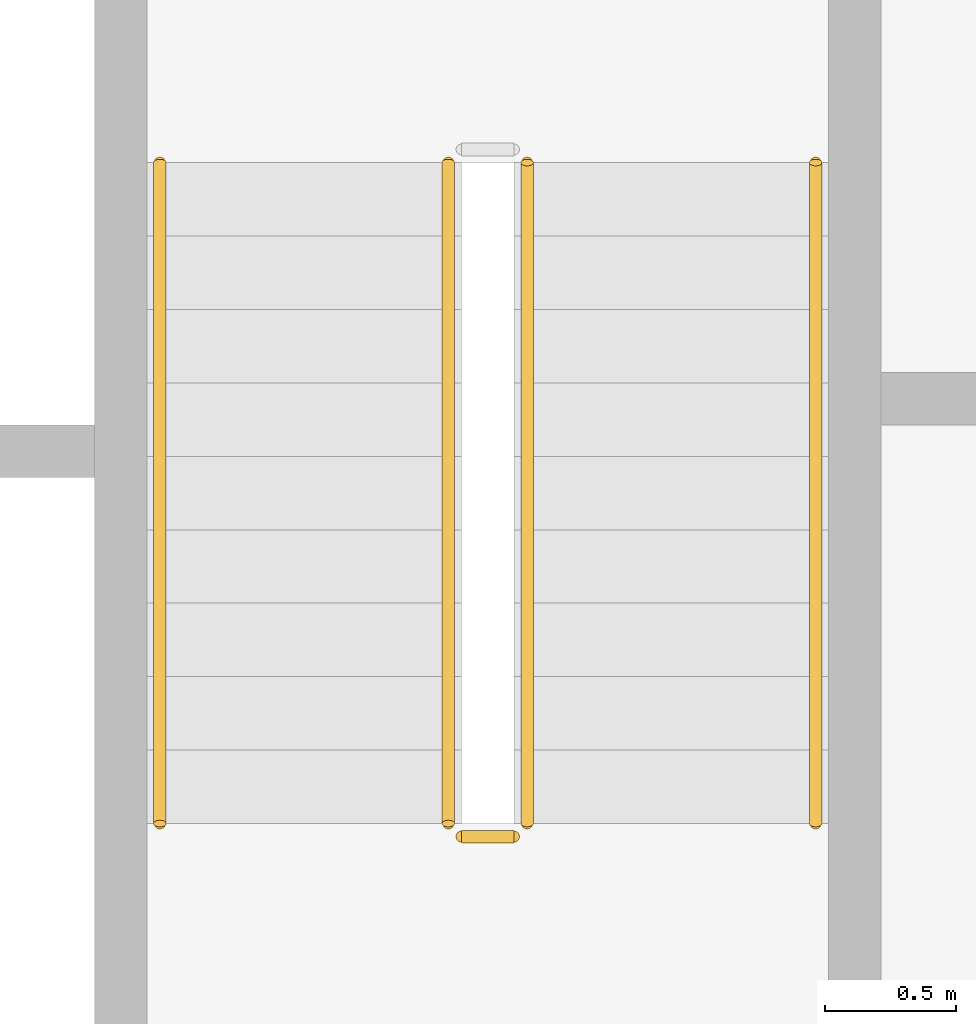
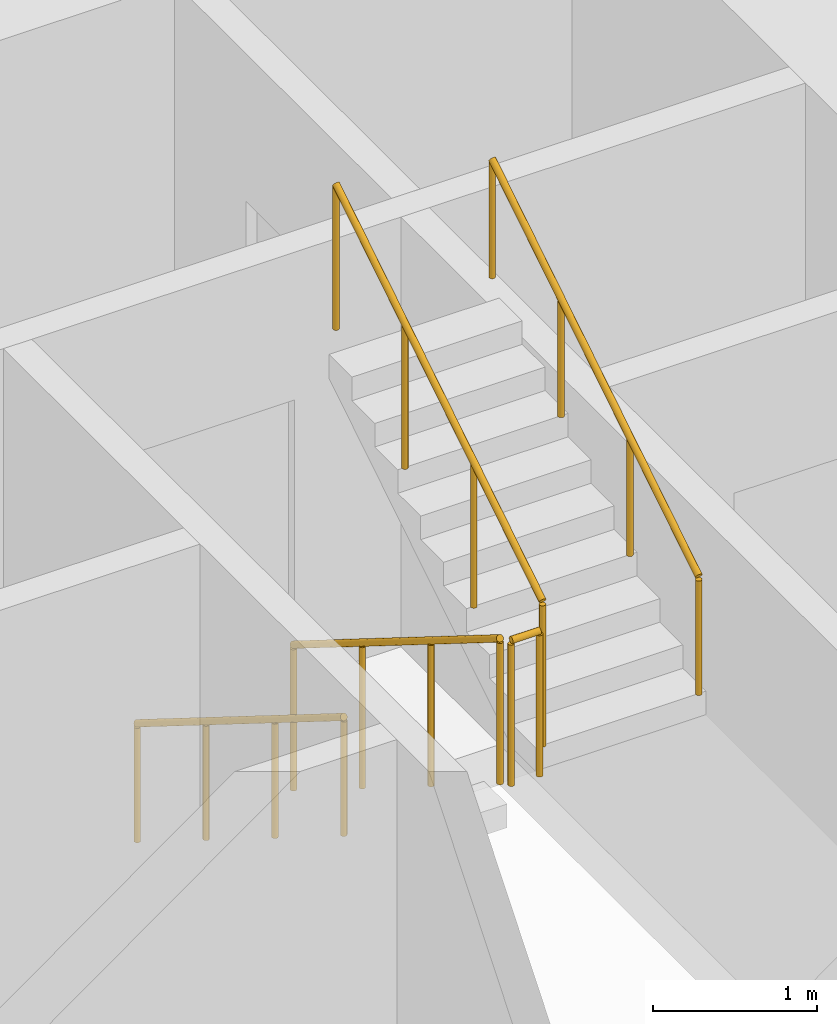
# One storey, part 19 of 22: 5 railings.
"""IFC4 building model written with IfcOpenShell, lengths in metres."""

from ifc_helpers import new_model, si_unit, direction, frame, origin, origin_2d, place, context, subcontext, project, spatial, circle, extrude, material, type_object, element, save


model = new_model("IFC4")

# Units and contexts
model_context = context("Model", 3, precision=1e-05, world=origin(), true_north=direction((0.0, 1.0)))
body_context = subcontext(model_context, "Body", "Model", "MODEL_VIEW")
ifc_project = project(units=[si_unit("LENGTHUNIT", "METRE"), si_unit("AREAUNIT", "SQUARE_METRE"), si_unit("VOLUMEUNIT", "CUBIC_METRE"), si_unit("PLANEANGLEUNIT", "RADIAN"), si_unit("MASSUNIT", "GRAM", prefix="KILO")], contexts=[model_context])

# Site, building, storey
site_placement = place(None, origin())
site = spatial("IfcSite", under=ifc_project, at=site_placement, CompositionType="ELEMENT")
building_placement = place(site_placement, origin())
building = spatial("IfcBuilding", under=site, at=building_placement, Name="Kiln Ring Residences", CompositionType="ELEMENT")
storey_placement = place(building_placement, frame((0.0, 0.0, 153.60009765625)))
storey = spatial("IfcBuildingStorey", under=building, at=storey_placement, Name="L39", CompositionType="ELEMENT", Elevation=153.60009765625)

# Railings
ifc_material_1 = material(Name="Stainless steel", Category="steel")
railing_type_1 = type_object("IfcRailingType", Name="CORE-STAIR-GUARD", PredefinedType="GUARDRAIL", material=ifc_material_1)
railing_1_placement = place(storey_placement, frame((21.949951171875, 8.39990234375, 0.1748046875)))
element("IfcRailing", 1, at=railing_1_placement, inside=storey, type_object=railing_type_1, Name="L39 E-STN stair guard 1", PredefinedType="GUARDRAIL", context=body_context, shape_type="SweptSolid", body=[
    extrude(circle(Radius=0.02392578125, at=origin_2d()), frame((0.0, 0.0, 1.076171875), z_axis=(0.0, -0.847970611238, 0.530043245855), x_axis=(1.0, 0.0, 0.0)), (0.0, 0.0, 1.0), 2.971923828125),
    extrude(circle(Radius=0.02099609375, at=origin_2d()), origin(), (0.0, 0.0, 1.0), 1.052001953125),
    extrude(circle(Radius=0.02099609375, at=origin_2d()), frame((0.0, -0.840087890625, 0.525146484375)), (0.0, 0.0, 1.0), 1.052001953125),
    extrude(circle(Radius=0.02099609375, at=origin_2d()), frame((0.0, -1.679931640625, 1.050048828125)), (0.0, 0.0, 1.0), 1.052001953125),
    extrude(circle(Radius=0.02099609375, at=origin_2d()), frame((0.0, -2.52001953125, 1.5751953125)), (0.0, 0.0, 1.0), 1.052001953125),
])
railing_2_placement = place(storey_placement, frame((22.0, 5.830078125, 1.75)))
element("IfcRailing", 2, at=railing_2_placement, inside=storey, type_object=railing_type_1, Name="L39 E-STN stair guard 2", PredefinedType="GUARDRAIL", context=body_context, shape_type="SweptSolid", body=[
    extrude(circle(Radius=0.02392578125, at=origin_2d()), frame((0.0, 0.0, 1.076171875), z_axis=(1.0, 0.0, 0.0), x_axis=(0.0, 1.0, 0.0)), (0.0, 0.0, 1.0), 0.199951171875),
    extrude(circle(Radius=0.02099609375, at=origin_2d()), origin(), (0.0, 0.0, 1.0), 1.052001953125),
    extrude(circle(Radius=0.02099609375, at=origin_2d()), frame((0.199951171875, 0.0, 0.0)), (0.0, 0.0, 1.0), 1.052001953125),
])
railing_3_placement = place(storey_placement, frame((22.25, 5.8798828125, 1.9248046875)))
element("IfcRailing", 3, at=railing_3_placement, inside=storey, type_object=railing_type_1, Name="L39 E-STN stair guard 3", PredefinedType="GUARDRAIL", context=body_context, shape_type="SweptSolid", body=[
    extrude(circle(Radius=0.02392578125, at=origin_2d()), frame((0.0, 0.0, 1.076171875), z_axis=(0.0, 0.847970611238, 0.530043245855), x_axis=(-1.0, 0.0, 0.0)), (0.0, 0.0, 1.0), 2.971923828125),
    extrude(circle(Radius=0.02099609375, at=origin_2d()), origin(), (0.0, 0.0, 1.0), 1.052001953125),
    extrude(circle(Radius=0.02099609375, at=origin_2d()), frame((0.0, 0.840087890625, 0.525146484375)), (0.0, 0.0, 1.0), 1.052001953125),
    extrude(circle(Radius=0.02099609375, at=origin_2d()), frame((0.0, 1.679931640625, 1.050048828125)), (0.0, 0.0, 1.0), 1.052001953125),
    extrude(circle(Radius=0.02099609375, at=origin_2d()), frame((0.0, 2.52001953125, 1.5751953125)), (0.0, 0.0, 1.0), 1.052001953125),
])
ifc_material_2 = material(Name="Stainless steel", Category="steel")
railing_type_2 = type_object("IfcRailingType", Name="CORE-STAIR-HANDRAIL", PredefinedType="HANDRAIL", material=ifc_material_2)
railing_4_placement = place(storey_placement, frame((20.85009765625, 8.39990234375, 0.1748046875)))
element("IfcRailing", 4, at=railing_4_placement, inside=storey, type_object=railing_type_2, Name="L39 E-STN stair handrail 1", PredefinedType="HANDRAIL", context=body_context, shape_type="SweptSolid", body=[
    extrude(circle(Radius=0.02392578125, at=origin_2d()), frame((0.0, 0.0, 0.8759765625), z_axis=(0.0, -0.847970611238, 0.530043245855), x_axis=(1.0, 0.0, 0.0)), (0.0, 0.0, 1.0), 2.971923828125),
    extrude(circle(Radius=0.02099609375, at=origin_2d()), origin(), (0.0, 0.0, 1.0), 0.851806640625),
    extrude(circle(Radius=0.02099609375, at=origin_2d()), frame((0.0, -0.840087890625, 0.525146484375)), (0.0, 0.0, 1.0), 0.851806640625),
    extrude(circle(Radius=0.02099609375, at=origin_2d()), frame((0.0, -1.679931640625, 1.050048828125)), (0.0, 0.0, 1.0), 0.851806640625),
    extrude(circle(Radius=0.02099609375, at=origin_2d()), frame((0.0, -2.52001953125, 1.5751953125)), (0.0, 0.0, 1.0), 0.851806640625),
])
railing_5_placement = place(storey_placement, frame((23.35009765625, 5.8798828125, 1.9248046875)))
element("IfcRailing", 5, at=railing_5_placement, inside=storey, type_object=railing_type_2, Name="L39 E-STN stair handrail 2", PredefinedType="HANDRAIL", context=body_context, shape_type="SweptSolid", body=[
    extrude(circle(Radius=0.02392578125, at=origin_2d()), frame((0.0, 0.0, 0.8759765625), z_axis=(0.0, 0.847970611238, 0.530043245855), x_axis=(-1.0, 0.0, 0.0)), (0.0, 0.0, 1.0), 2.971923828125),
    extrude(circle(Radius=0.02099609375, at=origin_2d()), origin(), (0.0, 0.0, 1.0), 0.851806640625),
    extrude(circle(Radius=0.02099609375, at=origin_2d()), frame((0.0, 0.840087890625, 0.525146484375)), (0.0, 0.0, 1.0), 0.851806640625),
    extrude(circle(Radius=0.02099609375, at=origin_2d()), frame((0.0, 1.679931640625, 1.050048828125)), (0.0, 0.0, 1.0), 0.851806640625),
    extrude(circle(Radius=0.02099609375, at=origin_2d()), frame((0.0, 2.52001953125, 1.5751953125)), (0.0, 0.0, 1.0), 0.851806640625),
])

save(model, "model.ifc")
